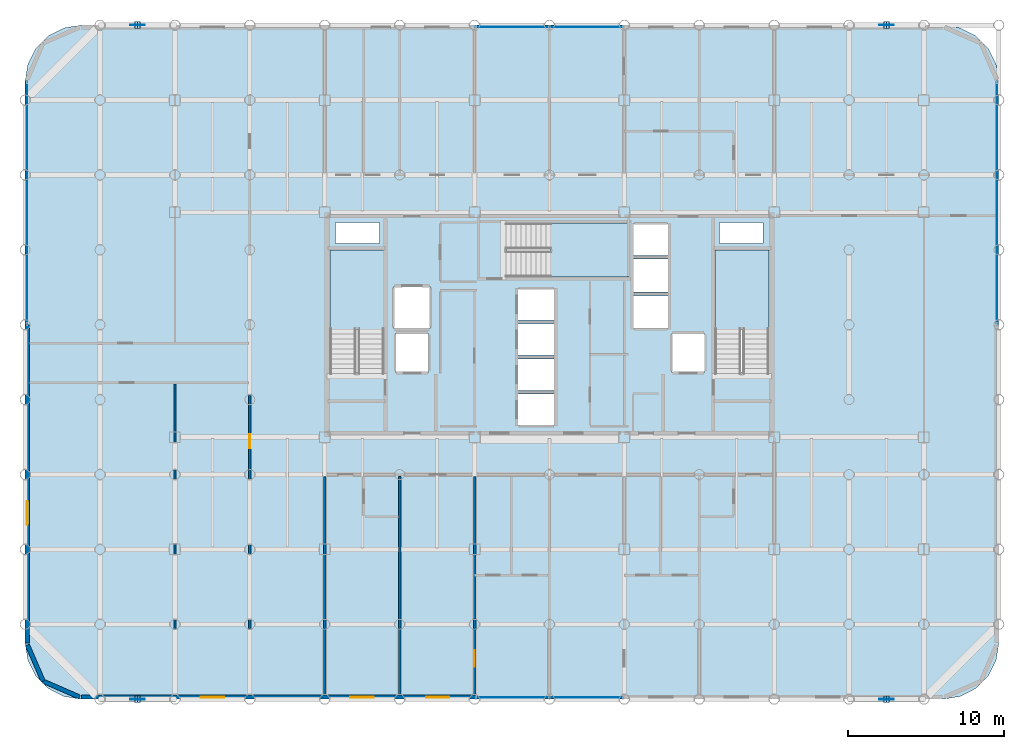
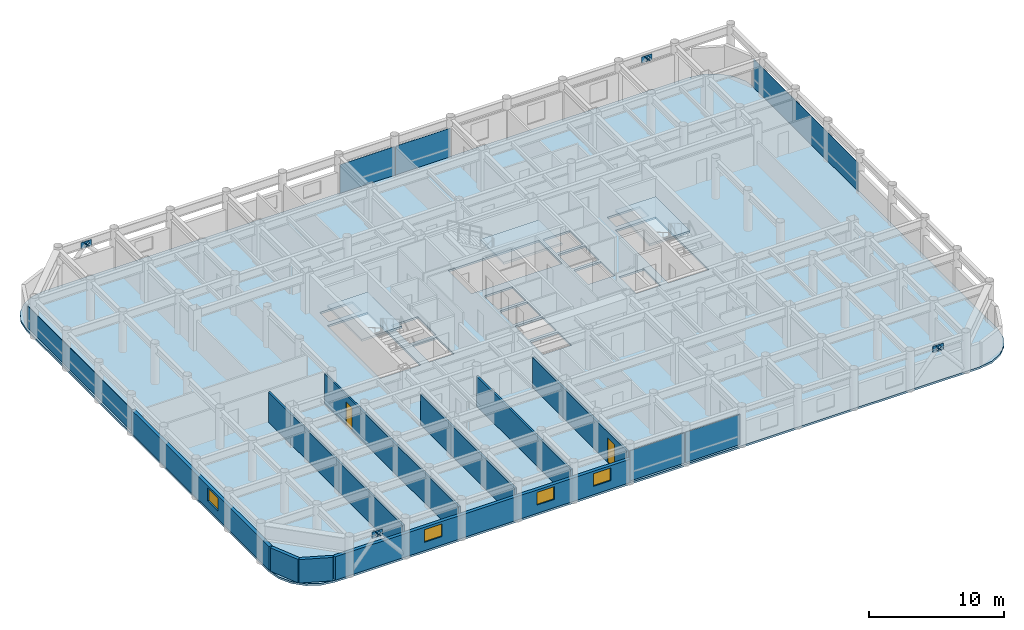
# One storey, part 15 of 20: 18 plates, 9 walls, 4 slabs, 4 windows, 2 doors, 6 openings, 7 elements without a shape of their own.
"""IFC4 building model written with IfcOpenShell, lengths in metres."""

from ifc_helpers import new_model, si_unit, direction, frame, frame_2d, origin, origin_2d, place, context, subcontext, project, spatial, polyline, rectangle, outline, extrude, material, layer, layer_set, type_object, element, fill, aggregate, save


model = new_model("IFC4")

# Units and contexts
model_context = context("Model", 3, precision=1e-05, world=origin(), true_north=direction((0.0, 1.0)))
body_context = subcontext(model_context, "Body", "Model", "MODEL_VIEW")
ifc_project = project(units=[si_unit("LENGTHUNIT", "METRE"), si_unit("AREAUNIT", "SQUARE_METRE"), si_unit("VOLUMEUNIT", "CUBIC_METRE"), si_unit("PLANEANGLEUNIT", "RADIAN"), si_unit("MASSUNIT", "GRAM", prefix="KILO")], contexts=[model_context])

# Site, building, storey
site_placement = place(None, origin())
site = spatial("IfcSite", under=ifc_project, at=site_placement, CompositionType="ELEMENT")
building_placement = place(site_placement, origin())
building = spatial("IfcBuilding", under=site, at=building_placement, Name="Kallvorn Hotel Tower", CompositionType="ELEMENT")
storey_placement = place(building_placement, frame((0.0, 0.0, 158.10009765625)))
storey = spatial("IfcBuildingStorey", under=building, at=storey_placement, Name="L39", CompositionType="ELEMENT", Elevation=158.10009765625)

# Curtain wall, plates
ifc_material_1 = material(Name="Thermally broken black-anodised aluminium AA 6063-T6", Category="aluminium")
ifc_layer_1 = layer(ifc_material_1, 0.2099609375)
ifc_layer_set_1 = layer_set([ifc_layer_1], Name="CW_SYS_4_HOTEL_MID")
curtain_wall_type = type_object("IfcCurtainWallType", Name="CW_SYS_4_HOTEL_MID", PredefinedType="USERDEFINED", material=ifc_layer_set_1)
curtain_wall_1_placement = place(storey_placement, origin())
curtain_wall_1 = element("IfcCurtainWall", 1, at=curtain_wall_1_placement, inside=storey, type_object=curtain_wall_type, Name="L39 Dark-Glass Curtain Wall CW-L39-SC", ObjectType="UNITISED CURTAIN WALL", PredefinedType="USERDEFINED")
ifc_material_2 = material(Name="Double-glazed low-e solar-control dark glass", Category="glass")
ifc_layer_2 = layer(ifc_material_2, 0.037841796875)
ifc_layer_set_2 = layer_set([ifc_layer_2], Name="CW_SYS_4_HOTEL_MID_PANEL")
plate_type_1 = type_object("IfcPlateType", Name="CW_SYS_4_HOTEL_MID_PANEL", PredefinedType="CURTAIN_PANEL", material=ifc_layer_set_2)
plate_1_placement = place(storey_placement, frame((-2.375, -23.8798828125, 0.059814453125), z_axis=(0.0, 0.0, 1.0), x_axis=(1.0, 0.0, 0.0)))
plate_1 = element("IfcPlate", 2, at=plate_1_placement, type_object=plate_type_1, Name="CW-L39-SC Vision Glass Panel 00", PredefinedType="CURTAIN_PANEL", context=body_context, shape_type="SweptSolid", body=[
    extrude(rectangle(XDim=4.68994140625, YDim=0.037841796875, at=origin_2d()), origin(), (0.0, 0.0, 1.0), 2.75),
])
plate_2_placement = place(storey_placement, frame((2.375, -23.8798828125, 0.059814453125), z_axis=(0.0, 0.0, 1.0), x_axis=(1.0, 0.0, 0.0)))
plate_2 = element("IfcPlate", 3, at=plate_2_placement, type_object=plate_type_1, Name="CW-L39-SC Vision Glass Panel 01", PredefinedType="CURTAIN_PANEL", context=body_context, shape_type="SweptSolid", body=[
    extrude(rectangle(XDim=4.68994140625, YDim=0.037841796875, at=origin_2d()), origin(), (0.0, 0.0, 1.0), 2.75),
])
aggregate(curtain_wall_1, [plate_1, plate_2])

curtain_wall_2_placement = place(storey_placement, origin())
curtain_wall_2 = element("IfcCurtainWall", 4, at=curtain_wall_2_placement, inside=storey, type_object=curtain_wall_type, Name="L39 Dark-Glass Curtain Wall CW-L39-NC", ObjectType="UNITISED CURTAIN WALL", PredefinedType="USERDEFINED")
plate_3_placement = place(storey_placement, frame((-2.375, 19.080078125, 0.059814453125), z_axis=(0.0, 0.0, 1.0), x_axis=(1.0, 0.0, 0.0)))
plate_3 = element("IfcPlate", 5, at=plate_3_placement, type_object=plate_type_1, Name="CW-L39-NC Vision Glass Panel 00", PredefinedType="CURTAIN_PANEL", context=body_context, shape_type="SweptSolid", body=[
    extrude(rectangle(XDim=4.68994140625, YDim=0.037841796875, at=origin_2d()), origin(), (0.0, 0.0, 1.0), 2.60009765625),
])
plate_4_placement = place(storey_placement, frame((2.375, 19.080078125, 0.059814453125), z_axis=(0.0, 0.0, 1.0), x_axis=(1.0, 0.0, 0.0)))
plate_4 = element("IfcPlate", 6, at=plate_4_placement, type_object=plate_type_1, Name="CW-L39-NC Vision Glass Panel 01", PredefinedType="CURTAIN_PANEL", context=body_context, shape_type="SweptSolid", body=[
    extrude(rectangle(XDim=4.68994140625, YDim=0.037841796875, at=origin_2d()), origin(), (0.0, 0.0, 1.0), 2.60009765625),
])
aggregate(curtain_wall_2, [plate_3, plate_4])

# Curtain wall, plate
curtain_wall_3_placement = place(storey_placement, origin())
curtain_wall_3 = element("IfcCurtainWall", 7, at=curtain_wall_3_placement, inside=storey, type_object=curtain_wall_type, Name="L39 Dark-Glass Curtain Wall CW-L39-WN", ObjectType="UNITISED CURTAIN WALL", PredefinedType="USERDEFINED")
plate_5_placement = place(storey_placement, frame((-33.47998046875, 7.81005859375, 0.059814453125), z_axis=(0.0, 0.0, 1.0), x_axis=(0.0, 1.0, 0.0)))
plate_5 = element("IfcPlate", 8, at=plate_5_placement, type_object=plate_type_1, Name="CW-L39-WN Vision Glass Panel 00", PredefinedType="CURTAIN_PANEL", context=body_context, shape_type="SweptSolid", body=[
    extrude(rectangle(XDim=15.52001953125, YDim=0.037841796875, at=origin_2d()), origin(), (0.0, 0.0, 1.0), 2.0),
])
aggregate(curtain_wall_3, [plate_5])

curtain_wall_4_placement = place(storey_placement, origin())
curtain_wall_4 = element("IfcCurtainWall", 9, at=curtain_wall_4_placement, inside=storey, type_object=curtain_wall_type, Name="L39 Dark-Glass Curtain Wall CW-L39-EN", ObjectType="UNITISED CURTAIN WALL", PredefinedType="USERDEFINED")
plate_6_placement = place(storey_placement, frame((28.679931640625, 7.81005859375, 0.059814453125), z_axis=(0.0, 0.0, 1.0), x_axis=(0.0, 1.0, 0.0)))
plate_6 = element("IfcPlate", 10, at=plate_6_placement, type_object=plate_type_1, Name="CW-L39-EN Vision Glass Panel 00", PredefinedType="CURTAIN_PANEL", context=body_context, shape_type="SweptSolid", body=[
    extrude(rectangle(XDim=15.52001953125, YDim=0.037841796875, at=origin_2d()), origin(), (0.0, 0.0, 1.0), 2.60009765625),
])
aggregate(curtain_wall_4, [plate_6])

# Plates
ifc_material_3 = material(Name="Structural steel S355JR", Category="steel")
ifc_layer_3 = layer(ifc_material_3, 0.030029296875)
ifc_layer_set_3 = layer_set([ifc_layer_3], Name="PLT_CAP_30")
plate_type_2 = type_object("IfcPlateType", Name="PLT_CAP_30", PredefinedType="SHEET", material=ifc_layer_set_3)
plate_7_placement = place(storey_placement, frame((-26.227294921875, -24.2177734375, 2.876708984375), z_axis=(0.646720691081, 0.0, 0.762726915565), x_axis=(0.0, 1.0, 0.0)))
element("IfcPlate", 11, at=plate_7_placement, inside=storey, type_object=plate_type_2, Name="EXO-L39-S1A End Cap Plate B", PredefinedType="SHEET", context=body_context, shape_type="SweptSolid", body=[
    extrude(outline(polyline([(0.0, 0.0), (0.435546875, 0.0), (0.435546875, 0.4356413597636253), (0.0, 0.4356413597636253), (0.0, 0.0)])), origin(), (0.0, 0.0, -1.0), 0.030029296875),
])
plate_8_placement = place(storey_placement, frame((-26.572509765625, -23.7822265625, 2.876708984375), z_axis=(-0.646997204148, 0.0, 0.762492372306), x_axis=(0.0, -1.0, 0.0)))
element("IfcPlate", 12, at=plate_8_placement, inside=storey, type_object=plate_type_2, Name="EXO-L39-S1B End Cap Plate B", PredefinedType="SHEET", context=body_context, shape_type="SweptSolid", body=[
    extrude(outline(polyline([(0.0, 0.0), (0.435546875, 0.0), (0.435546875, 0.43545517576240456), (0.0, 0.43545517576240456), (0.0, 0.0)])), origin(), (0.0, 0.0, -1.0), 0.030029296875),
])
plate_9_placement = place(storey_placement, frame((21.772705078125, -24.2177734375, 2.876708984375), z_axis=(0.646720691081, 0.0, 0.762726915565), x_axis=(0.0, 1.0, 0.0)))
element("IfcPlate", 13, at=plate_9_placement, inside=storey, type_object=plate_type_2, Name="EXO-L39-S2A End Cap Plate B", PredefinedType="SHEET", context=body_context, shape_type="SweptSolid", body=[
    extrude(outline(polyline([(0.0, 0.0), (0.435546875, 0.0), (0.435546875, 0.4356413597636253), (0.0, 0.4356413597636253), (0.0, 0.0)])), origin(), (0.0, 0.0, -1.0), 0.030029296875),
])
plate_10_placement = place(storey_placement, frame((21.427490234375, -23.7822265625, 2.876708984375), z_axis=(-0.646997204148, 0.0, 0.762492372306), x_axis=(0.0, -1.0, 0.0)))
element("IfcPlate", 14, at=plate_10_placement, inside=storey, type_object=plate_type_2, Name="EXO-L39-S2B End Cap Plate B", PredefinedType="SHEET", context=body_context, shape_type="SweptSolid", body=[
    extrude(outline(polyline([(0.0, 0.0), (0.435546875, 0.0), (0.435546875, 0.43545517576240456), (0.0, 0.43545517576240456), (0.0, 0.0)])), origin(), (0.0, 0.0, -1.0), 0.030029296875),
])
plate_11_placement = place(storey_placement, frame((-26.227294921875, 18.982177734375, 2.876708984375), z_axis=(0.646720691081, 0.0, 0.762726915565), x_axis=(0.0, 1.0, 0.0)))
element("IfcPlate", 15, at=plate_11_placement, inside=storey, type_object=plate_type_2, Name="EXO-L39-N1A End Cap Plate B", PredefinedType="SHEET", context=body_context, shape_type="SweptSolid", body=[
    extrude(outline(polyline([(0.0, 0.0), (0.435546875, 0.0), (0.435546875, 0.4356413597636253), (0.0, 0.4356413597636253), (0.0, 0.0)])), origin(), (0.0, 0.0, -1.0), 0.030029296875),
])
plate_12_placement = place(storey_placement, frame((-26.572509765625, 19.417724609375, 2.876708984375), z_axis=(-0.646997204148, 0.0, 0.762492372306), x_axis=(0.0, -1.0, 0.0)))
element("IfcPlate", 16, at=plate_12_placement, inside=storey, type_object=plate_type_2, Name="EXO-L39-N1B End Cap Plate B", PredefinedType="SHEET", context=body_context, shape_type="SweptSolid", body=[
    extrude(outline(polyline([(0.0, 0.0), (0.435546875, 0.0), (0.435546875, 0.43545517576240456), (0.0, 0.43545517576240456), (0.0, 0.0)])), origin(), (0.0, 0.0, -1.0), 0.030029296875),
])
plate_13_placement = place(storey_placement, frame((21.772705078125, 18.982177734375, 2.876708984375), z_axis=(0.646720691081, 0.0, 0.762726915565), x_axis=(0.0, 1.0, 0.0)))
element("IfcPlate", 17, at=plate_13_placement, inside=storey, type_object=plate_type_2, Name="EXO-L39-N2A End Cap Plate B", PredefinedType="SHEET", context=body_context, shape_type="SweptSolid", body=[
    extrude(outline(polyline([(0.0, 0.0), (0.435546875, 0.0), (0.435546875, 0.4356413597636253), (0.0, 0.4356413597636253), (0.0, 0.0)])), origin(), (0.0, 0.0, -1.0), 0.030029296875),
])
plate_14_placement = place(storey_placement, frame((21.427490234375, 19.417724609375, 2.876708984375), z_axis=(-0.646997204148, 0.0, 0.762492372306), x_axis=(0.0, -1.0, 0.0)))
element("IfcPlate", 18, at=plate_14_placement, inside=storey, type_object=plate_type_2, Name="EXO-L39-N2B End Cap Plate B", PredefinedType="SHEET", context=body_context, shape_type="SweptSolid", body=[
    extrude(outline(polyline([(0.0, 0.0), (0.435546875, 0.0), (0.435546875, 0.43545517576240456), (0.0, 0.43545517576240456), (0.0, 0.0)])), origin(), (0.0, 0.0, -1.0), 0.030029296875),
])
ifc_material_4 = material(Name="Structural steel S355JR", Category="steel")
ifc_layer_4 = layer(ifc_material_4, 0.034912109375)
ifc_layer_set_4 = layer_set([ifc_layer_4], Name="PLT_GUSSET_35")
plate_type_3 = type_object("IfcPlateType", Name="PLT_GUSSET_35", PredefinedType="USERDEFINED", material=ifc_layer_set_4)
for number, where, z_axis, x_axis, name in (
    (19, (-26.39990234375, -24.0, 2.68994140625), (0.0, 0.0, 1.0), (1.0, 0.0, 0.0), "L39 Exoskeleton Node Gusset S1"),
    (20, (21.60009765625, -24.0, 2.68994140625), (0.0, 0.0, 1.0), (1.0, 0.0, 0.0), "L39 Exoskeleton Node Gusset S2"),
    (21, (-26.39990234375, 19.199951171875, 2.68994140625), (0.0, 0.0, 1.0), (1.0, 0.0, 0.0), "L39 Exoskeleton Node Gusset N1"),
    (22, (21.60009765625, 19.199951171875, 2.68994140625), (0.0, 0.0, 1.0), (1.0, 0.0, 0.0), "L39 Exoskeleton Node Gusset N2"),
):
    element("IfcPlate", number, at=place(storey_placement, frame(where, z_axis=z_axis, x_axis=x_axis)), inside=storey, type_object=plate_type_3, Name=name, ObjectType="GUSSET PLATE", PredefinedType="USERDEFINED", context=body_context, shape_type="SweptSolid", body=[
        extrude(rectangle(XDim=0.89990234375, YDim=0.034912109375, at=origin_2d()), origin(), (0.0, 0.0, 1.0), 0.56005859375),
    ])

# Stair, slab
ifc_material_5 = material(Name="Precast concrete C40/50", Category="concrete")
stair_type = type_object("IfcStairType", Name="STR_CORE_DOGLEG", PredefinedType="HALF_TURN_STAIR", material=ifc_material_5)
stair_1_placement = place(storey_placement, origin())
stair_1 = element("IfcStair", 23, at=stair_1_placement, inside=storey, type_object=stair_type, Name="L39 Exit stair ST1", PredefinedType="HALF_TURN_STAIR")
ifc_material_6 = material(Name="Precast concrete C40/50", Category="concrete")
ifc_layer_5 = layer(ifc_material_6, 0.179931640625)
ifc_layer_set_5 = layer_set([ifc_layer_5], Name="SLB_LANDING_180")
slab_type_1 = type_object("IfcSlabType", Name="SLB_LANDING_180", PredefinedType="LANDING", material=ifc_layer_set_5)
slab_1_placement = place(storey_placement, frame((0.0, 0.0, 1.64990234375)))
slab_1 = element("IfcSlab", 24, at=slab_1_placement, type_object=slab_type_1, Name="ST1 landing 1", PredefinedType="LANDING", context=body_context, shape_type="SweptSolid", body=[
    extrude(outline(polyline([(-10.60009765625, -0.31005859375), (-10.60009765625, 4.800048828125), (-14.06005859375, 4.800048828125), (-14.06005859375, -0.31005859375), (-10.60009765625, -0.31005859375)])), origin(), (0.0, 0.0, 1.0), 0.199951171875),
])
aggregate(stair_1, [slab_1])

stair_2_placement = place(storey_placement, origin())
stair_2 = element("IfcStair", 25, at=stair_2_placement, inside=storey, type_object=stair_type, Name="L39 Exit stair ST2", PredefinedType="HALF_TURN_STAIR")
slab_2_placement = place(storey_placement, frame((0.0, 0.0, 1.64990234375)))
slab_2 = element("IfcSlab", 26, at=slab_2_placement, type_object=slab_type_1, Name="ST2 landing 1", PredefinedType="LANDING", context=body_context, shape_type="SweptSolid", body=[
    extrude(outline(polyline([(14.06005859375, -0.31005859375), (14.06005859375, 4.800048828125), (10.60009765625, 4.800048828125), (10.60009765625, -0.31005859375), (14.06005859375, -0.31005859375)])), origin(), (0.0, 0.0, 1.0), 0.199951171875),
])
aggregate(stair_2, [slab_2])

stair_3_placement = place(storey_placement, origin())
stair_3 = element("IfcStair", 27, at=stair_3_placement, inside=storey, type_object=stair_type, Name="L39 Exit stair ST3", PredefinedType="HALF_TURN_STAIR")
slab_3_placement = place(storey_placement, frame((0.0, 0.0, 1.64990234375)))
slab_3 = element("IfcSlab", 28, at=slab_3_placement, type_object=slab_type_1, Name="ST3 landing 1", PredefinedType="LANDING", context=body_context, shape_type="SweptSolid", body=[
    extrude(outline(polyline([(0.0400390625, 3.050048828125), (5.050048828125, 3.050048828125), (5.050048828125, 6.510009765625), (0.0400390625, 6.510009765625), (0.0400390625, 3.050048828125)])), origin(), (0.0, 0.0, 1.0), 0.199951171875),
])
aggregate(stair_3, [slab_3])

# Slab
ifc_material_7 = material(Name="Concrete C40/50", Category="concrete")
ifc_layer_6 = layer(ifc_material_7, 0.179931640625)
ifc_layer_set_6 = layer_set([ifc_layer_6], Name="SLB_TOWER_180")
slab_type_2 = type_object("IfcSlabType", Name="SLB_TOWER_180", PredefinedType="FLOOR", material=ifc_layer_set_6)
slab_4_placement = place(storey_placement, frame((0.0, 0.0, -0.18017578125)))
element("IfcSlab", 29, at=slab_4_placement, inside=storey, type_object=slab_type_2, Name="L39 Structural Floor Slab", PredefinedType="FLOOR", context=body_context, shape_type="SweptSolid", body=[
    extrude(outline(polyline([(25.199951171875, -24.0), (26.3125, -23.82373046875), (27.31591796875, -23.3125), (28.112548828125, -22.51611328125), (28.623779296875, -21.512451171875), (28.800048828125, -20.39990234375), (28.800048828125, 15.60009765625), (28.623779296875, 16.71240234375), (28.112548828125, 17.716064453125), (27.31591796875, 18.512451171875), (26.3125, 19.023681640625), (25.199951171875, 19.199951171875), (-30.0, 19.199951171875), (-31.112548828125, 19.023681640625), (-32.115966796875, 18.512451171875), (-32.91259765625, 17.716064453125), (-33.423828125, 16.71240234375), (-33.60009765625, 15.60009765625), (-33.60009765625, -20.39990234375), (-33.423828125, -21.512451171875), (-32.91259765625, -22.51611328125), (-32.115966796875, -23.3125), (-31.112548828125, -23.82373046875), (-30.0, -24.0), (25.199951171875, -24.0)]), holes=[polyline([(-10.60009765625, -3.070068359375), (-10.60009765625, 4.800048828125), (-14.06005859375, 4.800048828125), (-14.06005859375, -3.070068359375), (-10.60009765625, -3.070068359375)]), polyline([(14.06005859375, -3.070068359375), (14.06005859375, 4.800048828125), (10.60009765625, 4.800048828125), (10.60009765625, -3.070068359375), (14.06005859375, -3.070068359375)]), polyline([(-2.719970703125, 3.050048828125), (5.050048828125, 3.050048828125), (5.050048828125, 6.510009765625), (-2.719970703125, 6.510009765625), (-2.719970703125, 3.050048828125)]), polyline([(-2.050048828125, -6.449951171875), (0.35009765625, -6.449951171875), (0.35009765625, -4.449951171875), (-2.050048828125, -4.449951171875), (-2.050048828125, -6.449951171875)]), polyline([(-2.050048828125, -4.199951171875), (0.35009765625, -4.199951171875), (0.35009765625, -2.199951171875), (-2.050048828125, -2.199951171875), (-2.050048828125, -4.199951171875)]), polyline([(-2.050048828125, -1.949951171875), (0.35009765625, -1.949951171875), (0.35009765625, 0.050048828125), (-2.050048828125, 0.050048828125), (-2.050048828125, -1.949951171875)]), polyline([(-2.050048828125, 0.300048828125), (0.35009765625, 0.300048828125), (0.35009765625, 2.300048828125), (-2.050048828125, 2.300048828125), (-2.050048828125, 0.300048828125)]), polyline([(5.35009765625, -0.25), (7.64990234375, -0.25), (7.64990234375, 1.85009765625), (5.35009765625, 1.85009765625), (5.35009765625, -0.25)]), polyline([(5.35009765625, 2.10009765625), (7.64990234375, 2.10009765625), (7.64990234375, 4.199951171875), (5.35009765625, 4.199951171875), (5.35009765625, 2.10009765625)]), polyline([(5.35009765625, 4.449951171875), (7.64990234375, 4.449951171875), (7.64990234375, 6.449951171875), (5.35009765625, 6.449951171875), (5.35009765625, 4.449951171875)]), polyline([(-9.85009765625, -3.050048828125), (-7.75, -3.050048828125), (-7.75, -0.550048828125), (-9.85009765625, -0.550048828125), (-9.85009765625, -3.050048828125)]), polyline([(7.85009765625, -3.050048828125), (9.949951171875, -3.050048828125), (9.949951171875, -0.550048828125), (7.85009765625, -0.550048828125), (7.85009765625, -3.050048828125)]), polyline([(-9.949951171875, -0.25), (-7.64990234375, -0.25), (-7.64990234375, 2.449951171875), (-9.949951171875, 2.449951171875), (-9.949951171875, -0.25)]), polyline([(-13.699951171875, 5.199951171875), (-10.89990234375, 5.199951171875), (-10.89990234375, 6.550048828125), (-13.699951171875, 6.550048828125), (-13.699951171875, 5.199951171875)]), polyline([(10.89990234375, 5.199951171875), (13.699951171875, 5.199951171875), (13.699951171875, 6.550048828125), (10.89990234375, 6.550048828125), (10.89990234375, 5.199951171875)])]), origin(), (0.0, 0.0, 1.0), 0.18017578125),
])

# Walls
ifc_material_8 = material(Name="Fire-rated double-layer acoustic gypsum drywall EI 60")
ifc_layer_7 = layer(ifc_material_8, 0.159912109375)
ifc_layer_set_7 = layer_set([ifc_layer_7], Name="WL_DEMISE_160")
wall_type_1 = type_object("IfcWallType", Name="WL_DEMISE_160", PredefinedType="PARTITIONING", material=ifc_layer_set_7)
for number, where, z_axis, x_axis, name in (
    (30, (-14.39990234375, -23.7099609375, 0.0), (0.0, 0.0, 1.0), (0.0, 1.0, 0.0), "L39 Suite 3901 Superior Twin Room Partition"),
    (31, (-9.60009765625, -23.7099609375, 0.0), (0.0, 0.0, 1.0), (0.0, 1.0, 0.0), "L39 Suite 3901 Superior Twin Room Partition"),
):
    element("IfcWall", number, at=place(storey_placement, frame(where, z_axis=z_axis, x_axis=x_axis)), inside=storey, type_object=wall_type_1, Name=name, PredefinedType="PARTITIONING", context=body_context, shape_type="SweptSolid", body=[
        extrude(rectangle(XDim=13.989990234375, YDim=0.159912109375, at=frame_2d((6.9951171875, 0.0))), origin(), (0.0, 0.0, 1.0), 2.719970703125),
    ])

# Wall, opening, door
wall_1_placement = place(storey_placement, frame((-4.800048828125, -23.7099609375, 0.0), z_axis=(0.0, 0.0, 1.0), x_axis=(0.0, 1.0, 0.0)))
wall_1 = element("IfcWall", 32, at=wall_1_placement, inside=storey, type_object=wall_type_1, Name="L39 Suite 3902 Executive Bedroom Partition", PredefinedType="PARTITIONING", context=body_context, shape_type="SweptSolid", body=[
    extrude(rectangle(XDim=13.989990234375, YDim=0.159912109375, at=frame_2d((6.9951171875, 0.0))), origin(), (0.0, 0.0, 1.0), 2.719970703125),
])
opening_1_placement = place(wall_1_placement, frame((1.802978515625, 0.0, 0.0)))
opening_1 = element("IfcOpeningElement", 33, at=opening_1_placement, cuts=wall_1, Name="Opening GD2", PredefinedType="OPENING", context=body_context, shape_type="SweptSolid", body=[
    extrude(rectangle(XDim=1.050048828125, YDim=2.199951171875, at=frame_2d((0.52490234375, 1.10009765625))), frame((0.0, 0.094970703125, 0.0), z_axis=(0.0, -1.0, 0.0), x_axis=(1.0, 0.0, 0.0)), (0.0, 0.0, 1.0), 0.18994140625),
])
ifc_material_9 = material(Name="Solid-core walnut veneer fire-rated timber door leaf", Category="wood")
door_type_1 = type_object("IfcDoorType", Name="DR_SUITE_1050x2200", OperationType="NOTDEFINED", PredefinedType="DOOR", material=ifc_material_9)
door_1_placement = place(opening_1_placement, origin())
door_1 = element("IfcDoor", 34, at=door_1_placement, inside=storey, type_object=door_type_1, Name="L39 Suite 3902 Executive Bedroom Door", OperationType="SINGLE_SWING_RIGHT", OverallHeight=2.199951171875, OverallWidth=1.050048828125, PredefinedType="DOOR", context=body_context, shape_type="SweptSolid", body=[
    extrude(rectangle(XDim=1.050048828125, YDim=2.199951171875, at=frame_2d((0.52490234375, 1.10009765625))), frame((0.0, 0.02490234375, 0.0), z_axis=(0.0, -1.0, 0.0), x_axis=(1.0, 0.0, 0.0)), (0.0, 0.0, 1.0), 0.050048828125),
])
fill(opening_1, door_1)

# Walls
ifc_material_10 = material(Name="Precast basalt-clad insulated concrete wall C40/50", Category="masonry")
ifc_layer_8 = layer(ifc_material_10, 0.280029296875)
ifc_layer_set_8 = layer_set([ifc_layer_8], Name="WL_EXT_LOGGIA_280")
wall_type_2 = type_object("IfcWallType", Name="WL_EXT_LOGGIA_280", PredefinedType="SOLIDWALL", material=ifc_layer_set_8)
wall_2_placement = place(storey_placement, frame((-33.4580078125, -20.520751953125, 0.0), z_axis=(0.0, 0.0, 1.0), x_axis=(0.398792985289, -0.917040977756, 0.0)))
element("IfcWall", 35, at=wall_2_placement, inside=storey, type_object=wall_type_2, Name="L39 Rounded Corner Exterior Wall SW1", PredefinedType="SOLIDWALL", context=body_context, shape_type="SweptSolid", body=[
    extrude(rectangle(XDim=2.536376953125, YDim=0.280029296875, at=frame_2d((1.26806640625, 0.0))), origin(), (0.0, 0.0, 1.0), 2.119873046875),
])
wall_3_placement = place(storey_placement, frame((-32.446533203125, -22.8466796875, 0.0), z_axis=(0.0, 0.0, 1.0), x_axis=(0.917060872934, -0.398747232384, 0.0)))
element("IfcWall", 36, at=wall_3_placement, inside=storey, type_object=wall_type_2, Name="L39 Rounded Corner Exterior Wall SW2", PredefinedType="SOLIDWALL", context=body_context, shape_type="SweptSolid", body=[
    extrude(rectangle(XDim=2.5361328125, YDim=0.280029296875, at=frame_2d((1.26806640625, 0.0))), origin(), (0.0, 0.0, 1.0), 2.119873046875),
])

# Wall, openings, windows
wall_4_placement = place(storey_placement, frame((-30.0, -23.860107421875, 0.0), z_axis=(0.0, 0.0, 1.0), x_axis=(1.0, 0.0, 0.0)))
wall_4 = element("IfcWall", 37, at=wall_4_placement, inside=storey, type_object=wall_type_2, Name="L39 Exterior Envelope Wall EW-L39-SW", PredefinedType="SOLIDWALL", context=body_context, shape_type="SweptSolid", body=[
    extrude(rectangle(XDim=25.25, YDim=0.280029296875, at=frame_2d((12.625, 0.0))), origin(), (0.0, 0.0, 1.0), 2.119873046875),
])
opening_2_placement = place(wall_4_placement, frame((7.64990234375, 0.0, 0.75)))
opening_2 = element("IfcOpeningElement", 38, at=opening_2_placement, cuts=wall_4, Name="Opening W05A", PredefinedType="OPENING", context=body_context, shape_type="SweptSolid", body=[
    extrude(rectangle(XDim=1.5, YDim=1.14990234375, at=frame_2d((0.75, 0.574951171875))), frame((0.0, 0.155029296875, 0.0), z_axis=(0.0, -1.0, 0.0), x_axis=(1.0, 0.0, 0.0)), (0.0, 0.0, 1.0), 0.31005859375),
])
opening_3_placement = place(wall_4_placement, frame((17.25, 0.0, 0.75)))
opening_3 = element("IfcOpeningElement", 39, at=opening_3_placement, cuts=wall_4, Name="Opening W05A", PredefinedType="OPENING", context=body_context, shape_type="SweptSolid", body=[
    extrude(rectangle(XDim=1.5, YDim=1.14990234375, at=frame_2d((0.75, 0.574951171875))), frame((0.0, 0.155029296875, 0.0), z_axis=(0.0, -1.0, 0.0), x_axis=(1.0, 0.0, 0.0)), (0.0, 0.0, 1.0), 0.31005859375),
])
opening_4_placement = place(wall_4_placement, frame((22.090087890625, 0.0, 0.75)))
opening_4 = element("IfcOpeningElement", 40, at=opening_4_placement, cuts=wall_4, Name="Opening W05A", PredefinedType="OPENING", context=body_context, shape_type="SweptSolid", body=[
    extrude(rectangle(XDim=1.5, YDim=1.14990234375, at=frame_2d((0.75, 0.574951171875))), frame((0.0, 0.155029296875, 0.0), z_axis=(0.0, -1.0, 0.0), x_axis=(1.0, 0.0, 0.0)), (0.0, 0.0, 1.0), 0.31005859375),
])
ifc_material_11 = material(Name="Double-glazed low-e solar-control dark glass", Category="glass")
window_type = type_object("IfcWindowType", Name="WN_HTL_1500x1150", PartitioningType="SINGLE_PANEL", PredefinedType="WINDOW", material=ifc_material_11)
window_1_placement = place(opening_2_placement, origin())
window_1 = element("IfcWindow", 41, at=window_1_placement, inside=storey, type_object=window_type, Name="L39 Guestroom Exterior Window 02", OverallHeight=1.14990234375, OverallWidth=1.5, PartitioningType="SINGLE_PANEL", PredefinedType="WINDOW", context=body_context, shape_type="SweptSolid", body=[
    extrude(rectangle(XDim=1.5, YDim=1.14990234375, at=frame_2d((0.75, 0.574951171875))), frame((0.0, 0.030029296875, 0.0), z_axis=(0.0, -1.0, 0.0), x_axis=(1.0, 0.0, 0.0)), (0.0, 0.0, 1.0), 0.06005859375),
])
fill(opening_2, window_1)
window_2_placement = place(opening_3_placement, origin())
window_2 = element("IfcWindow", 42, at=window_2_placement, inside=storey, type_object=window_type, Name="L39 Guestroom Exterior Window 06", OverallHeight=1.14990234375, OverallWidth=1.5, PartitioningType="SINGLE_PANEL", PredefinedType="WINDOW", context=body_context, shape_type="SweptSolid", body=[
    extrude(rectangle(XDim=1.5, YDim=1.14990234375, at=frame_2d((0.75, 0.574951171875))), frame((0.0, 0.030029296875, 0.0), z_axis=(0.0, -1.0, 0.0), x_axis=(1.0, 0.0, 0.0)), (0.0, 0.0, 1.0), 0.06005859375),
])
fill(opening_3, window_2)
window_3_placement = place(opening_4_placement, origin())
window_3 = element("IfcWindow", 43, at=window_3_placement, inside=storey, type_object=window_type, Name="L39 Guestroom Exterior Window 07", OverallHeight=1.14990234375, OverallWidth=1.5, PartitioningType="SINGLE_PANEL", PredefinedType="WINDOW", context=body_context, shape_type="SweptSolid", body=[
    extrude(rectangle(XDim=1.5, YDim=1.14990234375, at=frame_2d((0.75, 0.574951171875))), frame((0.0, 0.030029296875, 0.0), z_axis=(0.0, -1.0, 0.0), x_axis=(1.0, 0.0, 0.0)), (0.0, 0.0, 1.0), 0.06005859375),
])
fill(opening_4, window_3)

# Wall, opening, window
wall_5_placement = place(storey_placement, frame((-33.4599609375, -20.39990234375, 0.0), z_axis=(0.0, 0.0, 1.0), x_axis=(0.0, 1.0, 0.0)))
wall_5 = element("IfcWall", 44, at=wall_5_placement, inside=storey, type_object=wall_type_2, Name="L39 Exterior Envelope Wall EW-L39-WS", PredefinedType="SOLIDWALL", context=body_context, shape_type="SweptSolid", body=[
    extrude(rectangle(XDim=20.3798828125, YDim=0.280029296875, at=frame_2d((10.18994140625, 0.0))), origin(), (0.0, 0.0, 1.0), 2.119873046875),
])
opening_5_placement = place(wall_5_placement, frame((7.590087890625, 0.0, 0.75)))
opening_5 = element("IfcOpeningElement", 45, at=opening_5_placement, cuts=wall_5, Name="Opening W05A", PredefinedType="OPENING", context=body_context, shape_type="SweptSolid", body=[
    extrude(rectangle(XDim=1.5, YDim=1.14990234375, at=frame_2d((0.75, 0.574951171875))), frame((0.0, 0.155029296875, 0.0), z_axis=(0.0, -1.0, 0.0), x_axis=(1.0, 0.0, 0.0)), (0.0, 0.0, 1.0), 0.31005859375),
])
window_4_placement = place(opening_5_placement, origin())
window_4 = element("IfcWindow", 46, at=window_4_placement, inside=storey, type_object=window_type, Name="L39 Flank Wing Window 01", OverallHeight=1.14990234375, OverallWidth=1.5, PartitioningType="SINGLE_PANEL", PredefinedType="WINDOW", context=body_context, shape_type="SweptSolid", body=[
    extrude(rectangle(XDim=1.5, YDim=1.14990234375, at=frame_2d((0.75, 0.574951171875))), frame((0.0, 0.030029296875, 0.0), z_axis=(0.0, -1.0, 0.0), x_axis=(1.0, 0.0, 0.0)), (0.0, 0.0, 1.0), 0.06005859375),
])
fill(opening_5, window_4)

# Wall
ifc_material_12 = material(Name="Fire-rated double-layer acoustic gypsum drywall EI 60")
ifc_layer_9 = layer(ifc_material_12, 0.14990234375)
ifc_layer_set_9 = layer_set([ifc_layer_9], Name="WL_PART_150")
wall_type_3 = type_object("IfcWallType", Name="WL_PART_150", PredefinedType="PARTITIONING", material=ifc_layer_set_9)
wall_6_placement = place(storey_placement, frame((-24.0, -23.7099609375, 0.0), z_axis=(0.0, 0.0, 1.0), x_axis=(0.0, 1.0, 0.0)))
element("IfcWall", 47, at=wall_6_placement, inside=storey, type_object=wall_type_3, Name="L39 L39 Inner South-West Wine Gallery Partition", PredefinedType="PARTITIONING", context=body_context, shape_type="SweptSolid", body=[
    extrude(rectangle(XDim=19.905029296875, YDim=0.14990234375, at=frame_2d((9.95263671875, 0.0))), origin(), (0.0, 0.0, 1.0), 2.719970703125),
])

# Wall, opening, door
wall_7_placement = place(storey_placement, frame((-19.199951171875, -23.7099609375, 0.0), z_axis=(0.0, 0.0, 1.0), x_axis=(0.0, 1.0, 0.0)))
wall_7 = element("IfcWall", 48, at=wall_7_placement, inside=storey, type_object=wall_type_3, Name="L39 L39 Inner South-West Wine Gallery Partition", PredefinedType="PARTITIONING", context=body_context, shape_type="SweptSolid", body=[
    extrude(rectangle(XDim=19.905029296875, YDim=0.14990234375, at=frame_2d((9.95263671875, 0.0))), origin(), (0.0, 0.0, 1.0), 2.719970703125),
])
opening_6_placement = place(wall_7_placement, frame((15.790771484375, 0.0, 0.0)))
opening_6 = element("IfcOpeningElement", 49, at=opening_6_placement, cuts=wall_7, Name="Opening SVD1", PredefinedType="OPENING", context=body_context, shape_type="SweptSolid", body=[
    extrude(rectangle(XDim=0.89990234375, YDim=2.10009765625, at=frame_2d((0.449951171875, 1.050048828125))), frame((0.0, 0.08984375, 0.0), z_axis=(0.0, -1.0, 0.0), x_axis=(1.0, 0.0, 0.0)), (0.0, 0.0, 1.0), 0.179931640625),
])
ifc_material_13 = material(Name="Galvanised painted steel fire-rated door assembly", Category="steel")
door_type_2 = type_object("IfcDoorType", Name="DR_SERV_900x2100", OperationType="NOTDEFINED", PredefinedType="DOOR", material=ifc_material_13)
door_2_placement = place(opening_6_placement, origin())
door_2 = element("IfcDoor", 50, at=door_2_placement, inside=storey, type_object=door_type_2, Name="L39 L39 Inner South-West Wine Gallery Door", OperationType="SINGLE_SWING_RIGHT", OverallHeight=2.10009765625, OverallWidth=0.89990234375, PredefinedType="DOOR", context=body_context, shape_type="SweptSolid", body=[
    extrude(rectangle(XDim=0.89990234375, YDim=2.10009765625, at=frame_2d((0.449951171875, 1.050048828125))), frame((0.0, 0.02490234375, 0.0), z_axis=(0.0, -1.0, 0.0), x_axis=(1.0, 0.0, 0.0)), (0.0, 0.0, 1.0), 0.050048828125),
])
fill(opening_6, door_2)

save(model, "model.ifc")
